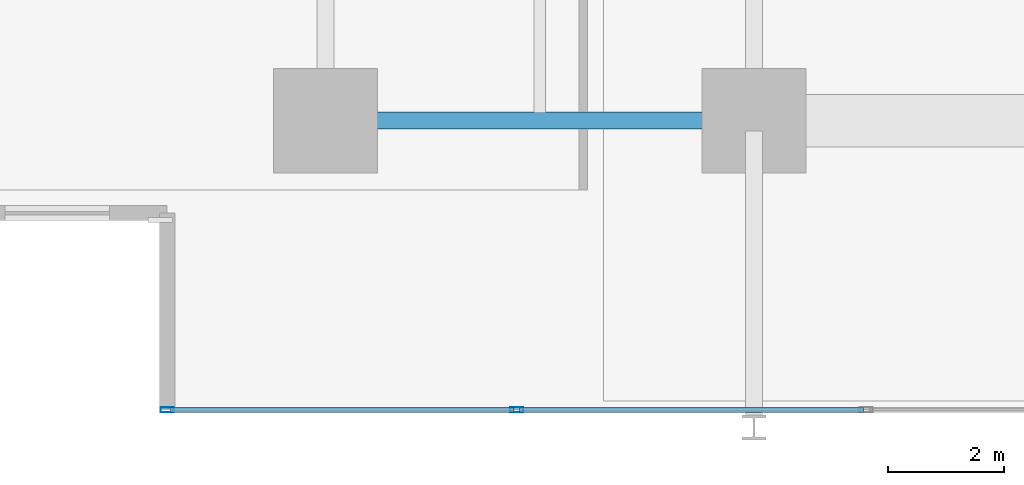
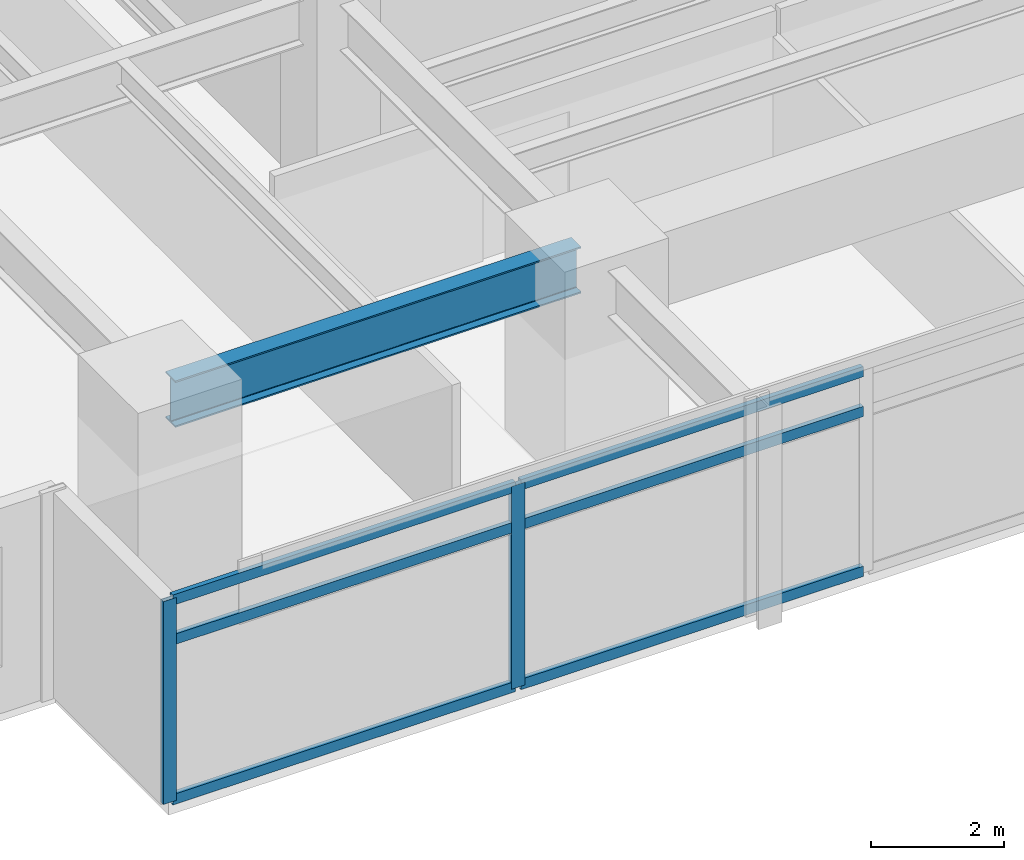
# One storey, part 2 of 21: 8 members, 1 beam, 1 element without a shape of its own.
"""IFC4 building model written with IfcOpenShell, lengths in metres."""

from ifc_helpers import new_model, si_unit, direction, frame, origin, origin_2d, place, context, subcontext, project, spatial, hollow_rectangle, i_section, extrude, material, material_profile, profile_set, type_object, element, aggregate, save


model = new_model("IFC4")

# Units and contexts
model_context = context("Model", 3, precision=1e-05, world=origin(), true_north=direction((0.0, 1.0)))
body_context = subcontext(model_context, "Body", "Model", "MODEL_VIEW")
ifc_project = project(units=[si_unit("LENGTHUNIT", "METRE"), si_unit("AREAUNIT", "SQUARE_METRE"), si_unit("VOLUMEUNIT", "CUBIC_METRE"), si_unit("PLANEANGLEUNIT", "RADIAN"), si_unit("MASSUNIT", "GRAM", prefix="KILO")], contexts=[model_context])

# Site, building, storey
site_placement = place(None, origin())
site = spatial("IfcSite", under=ifc_project, at=site_placement, CompositionType="ELEMENT")
building_placement = place(site_placement, origin())
building = spatial("IfcBuilding", under=site, at=building_placement, Name="Kovane Verandah Tower", CompositionType="ELEMENT")
storey_placement = place(building_placement, frame((0.0, 0.0, 31.60009765625)))
storey = spatial("IfcBuildingStorey", under=building, at=storey_placement, Name="L06", CompositionType="ELEMENT", Elevation=31.60009765625)

# Beam
ifc_material_1 = material(Name="Steel S355", Category="steel")
ifc_material_profile_1 = material_profile(ifc_material_1, i_section(OverallWidth=0.293701171875, OverallDepth=0.850830078125, WebThickness=0.01611328125, FlangeThickness=0.02685546875, FilletRadius=0.017822265625, at=origin_2d()), Name="UB838x292x226")
ifc_profile_set_1 = profile_set([ifc_material_profile_1], Name="Steel S355")
beam_type = type_object("IfcBeamType", Name="BM-UB838x226", PredefinedType="BEAM", material=ifc_profile_set_1)
beam_placement = place(storey_placement, frame((21.780029296875, 10.800048828125, 3.33447265625), z_axis=(1.0, 0.0, 0.0), x_axis=(0.0, 1.0, 0.0)))
element("IfcBeam", 1, at=beam_placement, inside=storey, type_object=beam_type, Name="L06 Primary Tower Girder G-RS1", PredefinedType="BEAM", context=body_context, shape_type="SweptSolid", body=[
    extrude(i_section(OverallWidth=0.293701171875, OverallDepth=0.850830078125, WebThickness=0.01611328125, FlangeThickness=0.02685546875, FilletRadius=0.017822265625, at=origin_2d()), origin(), (0.0, 0.0, 1.0), 7.0400390625),
])

# Curtain wall, members
ifc_material_2 = material(Name="Champagne Anodised Aluminium Frame with Low-E Clear Laminated Glass", Category="aluminium")
curtain_wall_type = type_object("IfcCurtainWallType", Name="CW-SYS-02-LOW", PredefinedType="NOTDEFINED", material=ifc_material_2)
curtain_wall_placement = place(storey_placement, origin())
curtain_wall = element("IfcCurtainWall", 2, at=curtain_wall_placement, inside=storey, type_object=curtain_wall_type, Name="L06 S Unitised Curtain Wall", PredefinedType="NOTDEFINED")
ifc_material_3 = material(Name="Champagne Anodised Aluminium 6063-T6", Category="aluminium")
ifc_material_profile_2 = material_profile(ifc_material_3, hollow_rectangle(XDim=0.0849609375, YDim=0.22998046875, WallThickness=0.00390625, at=origin_2d()), Name="AL85x230x4")
ifc_profile_set_2 = profile_set([ifc_material_profile_2], Name="Champagne Anodised Aluminium 6063-T6")
member_type_1 = type_object("IfcMemberType", Name="CW-MUL-85x230", PredefinedType="MULLION", material=ifc_profile_set_2)
member_1_placement = place(storey_placement, frame((18.8642578125, 5.804931640625, 0.02001953125), z_axis=(0.0, 0.0, 1.0), x_axis=(0.0, -1.0, 0.0)))
member_1 = element("IfcMember", 3, at=member_1_placement, type_object=member_type_1, Name="L06 S Unitised Curtain Wall Mullion 1", PredefinedType="MULLION", context=body_context, shape_type="SweptSolid", body=[
    extrude(hollow_rectangle(XDim=0.0849609375, YDim=0.22998046875, WallThickness=0.00390625, at=origin_2d()), origin(), (0.0, 0.0, 1.0), 3.719970703125),
])
member_2_placement = place(storey_placement, frame((24.903076171875, 5.804931640625, 0.02001953125), z_axis=(0.0, 0.0, 1.0), x_axis=(0.0, -1.0, 0.0)))
member_2 = element("IfcMember", 4, at=member_2_placement, type_object=member_type_1, Name="L06 S Unitised Curtain Wall Mullion 2", PredefinedType="MULLION", context=body_context, shape_type="SweptSolid", body=[
    extrude(hollow_rectangle(XDim=0.0849609375, YDim=0.22998046875, WallThickness=0.00390625, at=origin_2d()), origin(), (0.0, 0.0, 1.0), 3.719970703125),
])
ifc_material_profile_3 = material_profile(ifc_material_3, hollow_rectangle(XDim=0.0849609375, YDim=0.18994140625, WallThickness=0.00390625, at=origin_2d()), Name="AL85x190x4")
ifc_profile_set_3 = profile_set([ifc_material_profile_3], Name="Champagne Anodised Aluminium 6063-T6")
member_type_2 = type_object("IfcMemberType", Name="CW-TRN-85x190", PredefinedType="USERDEFINED", material=ifc_profile_set_3)
member_3_placement = place(storey_placement, frame((18.914306640625, 5.804931640625, 0.0498046875), z_axis=(1.0, 0.0, 0.0), x_axis=(0.0, 1.0, 0.0)))
member_3 = element("IfcMember", 5, at=member_3_placement, type_object=member_type_2, Name="L06 S Unitised Curtain Wall Transom TB Bay 1", ObjectType="TRANSOM", PredefinedType="USERDEFINED", context=body_context, shape_type="SweptSolid", body=[
    extrude(hollow_rectangle(XDim=0.0849609375, YDim=0.18994140625, WallThickness=0.00390625, at=origin_2d()), origin(), (0.0, 0.0, 1.0), 5.938720703125),
])
member_4_placement = place(storey_placement, frame((18.914306640625, 5.804931640625, 2.97998046875), z_axis=(1.0, 0.0, 0.0), x_axis=(0.0, 1.0, 0.0)))
member_4 = element("IfcMember", 6, at=member_4_placement, type_object=member_type_2, Name="L06 S Unitised Curtain Wall Transom TM Bay 1", ObjectType="TRANSOM", PredefinedType="USERDEFINED", context=body_context, shape_type="SweptSolid", body=[
    extrude(hollow_rectangle(XDim=0.0849609375, YDim=0.18994140625, WallThickness=0.00390625, at=origin_2d()), origin(), (0.0, 0.0, 1.0), 5.938720703125),
])
member_5_placement = place(storey_placement, frame((18.914306640625, 5.804931640625, 3.7099609375), z_axis=(1.0, 0.0, 0.0), x_axis=(0.0, 1.0, 0.0)))
member_5 = element("IfcMember", 7, at=member_5_placement, type_object=member_type_2, Name="L06 S Unitised Curtain Wall Transom TT Bay 1", ObjectType="TRANSOM", PredefinedType="USERDEFINED", context=body_context, shape_type="SweptSolid", body=[
    extrude(hollow_rectangle(XDim=0.0849609375, YDim=0.18994140625, WallThickness=0.00390625, at=origin_2d()), origin(), (0.0, 0.0, 1.0), 5.938720703125),
])
member_6_placement = place(storey_placement, frame((24.953125, 5.804931640625, 0.0498046875), z_axis=(1.0, 0.0, 0.0), x_axis=(0.0, 1.0, 0.0)))
member_6 = element("IfcMember", 8, at=member_6_placement, type_object=member_type_2, Name="L06 S Unitised Curtain Wall Transom TB Bay 2", ObjectType="TRANSOM", PredefinedType="USERDEFINED", context=body_context, shape_type="SweptSolid", body=[
    extrude(hollow_rectangle(XDim=0.0849609375, YDim=0.18994140625, WallThickness=0.00390625, at=origin_2d()), origin(), (0.0, 0.0, 1.0), 5.938720703125),
])
member_7_placement = place(storey_placement, frame((24.953125, 5.804931640625, 2.97998046875), z_axis=(1.0, 0.0, 0.0), x_axis=(0.0, 1.0, 0.0)))
member_7 = element("IfcMember", 9, at=member_7_placement, type_object=member_type_2, Name="L06 S Unitised Curtain Wall Transom TM Bay 2", ObjectType="TRANSOM", PredefinedType="USERDEFINED", context=body_context, shape_type="SweptSolid", body=[
    extrude(hollow_rectangle(XDim=0.0849609375, YDim=0.18994140625, WallThickness=0.00390625, at=origin_2d()), origin(), (0.0, 0.0, 1.0), 5.938720703125),
])
member_8_placement = place(storey_placement, frame((24.953125, 5.804931640625, 3.7099609375), z_axis=(1.0, 0.0, 0.0), x_axis=(0.0, 1.0, 0.0)))
member_8 = element("IfcMember", 10, at=member_8_placement, type_object=member_type_2, Name="L06 S Unitised Curtain Wall Transom TT Bay 2", ObjectType="TRANSOM", PredefinedType="USERDEFINED", context=body_context, shape_type="SweptSolid", body=[
    extrude(hollow_rectangle(XDim=0.0849609375, YDim=0.18994140625, WallThickness=0.00390625, at=origin_2d()), origin(), (0.0, 0.0, 1.0), 5.938720703125),
])
aggregate(curtain_wall, [member_1, member_2, member_3, member_4, member_5, member_6, member_7, member_8])

save(model, "model.ifc")
